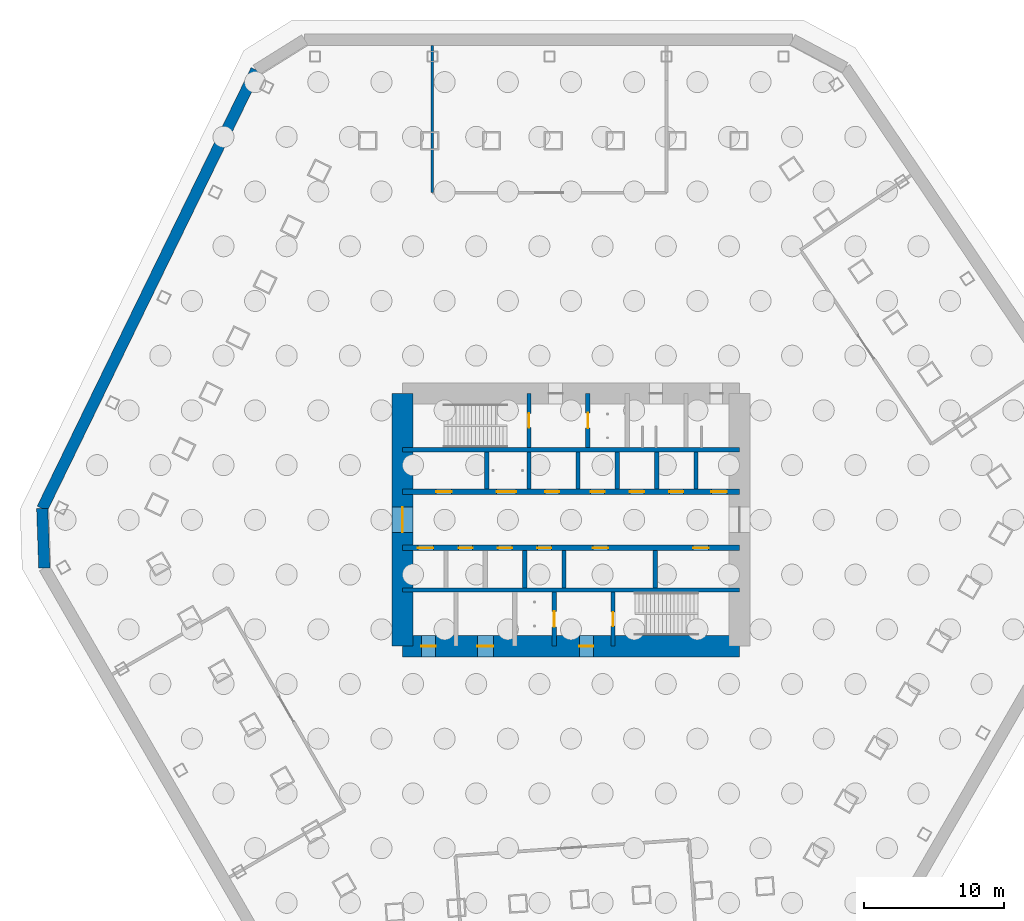
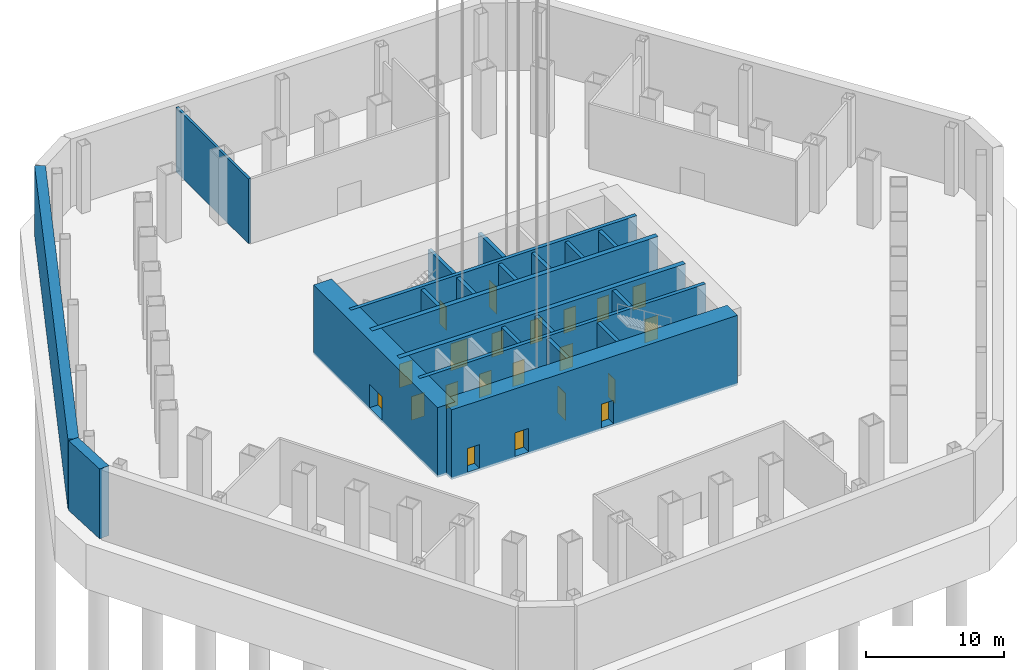
# One storey, part 3 of 12: 22 walls, 21 doors, 21 openings.
"""IFC4 building model written with IfcOpenShell, lengths in metres."""

from ifc_helpers import new_model, si_unit, direction, frame, frame_2d, origin, place, context, subcontext, project, spatial, rectangle, extrude, material, layer, layer_set, type_object, element, fill, save


model = new_model("IFC4")

# Units and contexts
model_context = context("Model", 3, precision=1e-05, world=origin(), true_north=direction((0.0, 1.0)))
body_context = subcontext(model_context, "Body", "Model", "MODEL_VIEW")
ifc_project = project(units=[si_unit("LENGTHUNIT", "METRE"), si_unit("AREAUNIT", "SQUARE_METRE"), si_unit("VOLUMEUNIT", "CUBIC_METRE"), si_unit("PLANEANGLEUNIT", "RADIAN"), si_unit("MASSUNIT", "GRAM", prefix="KILO")], contexts=[model_context])

# Site, building, storey
site_placement = place(None, origin())
site = spatial("IfcSite", under=ifc_project, at=site_placement, CompositionType="ELEMENT")
building_placement = place(site_placement, origin())
building = spatial("IfcBuilding", under=site, at=building_placement, Name="Qingtian Harvest Tower", CompositionType="ELEMENT")
storey_placement = place(building_placement, frame((0.0, 0.0, -12.0)))
storey = spatial("IfcBuildingStorey", under=building, at=storey_placement, Name="B2", CompositionType="ELEMENT", Elevation=-12.0)

# Walls
ifc_material_1 = material(Name="Concrete fc' 42 MPa", Category="concrete")
ifc_layer_1 = layer(ifc_material_1, 0.800048828125)
ifc_layer_set_1 = layer_set([ifc_layer_1], Name="Basement retaining wall RW1 800")
wall_type_1 = type_object("IfcWallType", Name="Basement retaining wall RW1 800", PredefinedType="SHEAR", material=ifc_layer_set_1)
wall_1_placement = place(storey_placement, frame((-37.51025390625, -3.43017578125, -0.199951171875), z_axis=(0.0, 0.0, 1.0), x_axis=(-0.034908677553, 0.999390506375, 0.0)))
element("IfcWall", 1, at=wall_1_placement, inside=storey, type_object=wall_type_1, Name="Retaining wall RW1 B2 10", PredefinedType="SHEAR", context=body_context, shape_type="SweptSolid", body=[
    extrude(rectangle(XDim=4.23828125, YDim=0.800048828125, at=frame_2d((2.119140625, 0.0))), origin(), (0.0, 0.0, 1.0), 6.199951171875),
])
wall_2_placement = place(storey_placement, frame((-37.658203125, 0.805419921875, -0.199951171875), z_axis=(0.0, 0.0, 1.0), x_axis=(0.438371731429, 0.898793761151, 0.0)))
element("IfcWall", 2, at=wall_2_placement, inside=storey, type_object=wall_type_1, Name="Retaining wall RW1 B2 11", PredefinedType="SHEAR", context=body_context, shape_type="SweptSolid", body=[
    extrude(rectangle(XDim=34.7548828125, YDim=0.800048828125, at=frame_2d((17.37744140625, 0.0))), origin(), (0.0, 0.0, 1.0), 6.199951171875),
])
ifc_material_2 = material(Name="Concrete fc' 70 MPa", Category="concrete")
ifc_layer_2 = layer(ifc_material_2, 0.300048828125)
ifc_layer_set_2 = layer_set([ifc_layer_2], Name="Core inner wall RC5 300")
wall_type_2 = type_object("IfcWallType", Name="Core inner wall RC5 300", PredefinedType="SHEAR", material=ifc_layer_set_2)
for number, where, z_axis, x_axis, name in (
    (3, (-12.0, 5.0, -0.199951171875), (0.0, 0.0, 1.0), (1.0, 0.0, 0.0), "Core wall IN5 B2"),
    (4, (-12.0, -5.0, -0.199951171875), (0.0, 0.0, 1.0), (1.0, 0.0, 0.0), "Core wall IS5 B2"),
):
    element("IfcWall", number, at=place(storey_placement, frame(where, z_axis=z_axis, x_axis=x_axis)), inside=storey, type_object=wall_type_2, Name=name, PredefinedType="SHEAR", context=body_context, shape_type="SweptSolid", body=[
        extrude(rectangle(XDim=24.0, YDim=0.300048828125, at=frame_2d((12.0, 0.0))), origin(), (0.0, 0.0, 1.0), 6.199951171875),
    ])

# Wall, openings, doors
ifc_material_3 = material(Name="Concrete fc' 70 MPa", Category="concrete")
ifc_layer_3 = layer(ifc_material_3, 0.39990234375)
ifc_layer_set_3 = layer_set([ifc_layer_3], Name="Core inner web RC6 400")
wall_type_3 = type_object("IfcWallType", Name="Core inner web RC6 400", PredefinedType="SHEAR", material=ifc_layer_set_3)
wall_3_placement = place(storey_placement, frame((-12.0, 2.0, -0.199951171875), z_axis=(0.0, 0.0, 1.0), x_axis=(1.0, 0.0, 0.0)))
wall_3 = element("IfcWall", 5, at=wall_3_placement, inside=storey, type_object=wall_type_3, Name="Core wall IN2 B2", PredefinedType="SHEAR", context=body_context, shape_type="SweptSolid", body=[
    extrude(rectangle(XDim=24.0, YDim=0.39990234375, at=frame_2d((12.0, 0.0))), origin(), (0.0, 0.0, 1.0), 6.199951171875),
])
opening_1_placement = place(wall_3_placement, frame((2.39990234375, 0.0, 0.199951171875)))
opening_1 = element("IfcOpeningElement", 6, at=opening_1_placement, cuts=wall_3, Name="Opening FD4", PredefinedType="OPENING", context=body_context, shape_type="SweptSolid", body=[
    extrude(rectangle(XDim=1.10009765625, YDim=2.10009765625, at=frame_2d((0.550048828125, 1.050048828125))), frame((0.0, 0.2099609375, 0.0), z_axis=(0.0, -1.0, 0.0), x_axis=(1.0, 0.0, 0.0)), (0.0, 0.0, 1.0), 0.419921875),
])
opening_2_placement = place(wall_3_placement, frame((22.0, 0.0, 0.199951171875)))
opening_2 = element("IfcOpeningElement", 7, at=opening_2_placement, cuts=wall_3, Name="Opening FD4", PredefinedType="OPENING", context=body_context, shape_type="SweptSolid", body=[
    extrude(rectangle(XDim=1.10009765625, YDim=2.10009765625, at=frame_2d((0.550048828125, 1.050048828125))), frame((0.0, 0.2099609375, 0.0), z_axis=(0.0, -1.0, 0.0), x_axis=(1.0, 0.0, 0.0)), (0.0, 0.0, 1.0), 0.419921875),
])
opening_3_placement = place(wall_3_placement, frame((10.14990234375, 0.0, 0.199951171875)))
opening_3 = element("IfcOpeningElement", 8, at=opening_3_placement, cuts=wall_3, Name="Opening FD1", PredefinedType="OPENING", context=body_context, shape_type="SweptSolid", body=[
    extrude(rectangle(XDim=1.0, YDim=2.10009765625, at=frame_2d((0.5, 1.050048828125))), frame((0.0, 0.2099609375, 0.0), z_axis=(0.0, -1.0, 0.0), x_axis=(1.0, 0.0, 0.0)), (0.0, 0.0, 1.0), 0.419921875),
])
opening_4_placement = place(wall_3_placement, frame((6.699951171875, 0.0, 0.199951171875)))
opening_4 = element("IfcOpeningElement", 9, at=opening_4_placement, cuts=wall_3, Name="Opening LD2", PredefinedType="OPENING", context=body_context, shape_type="SweptSolid", body=[
    extrude(rectangle(XDim=1.39990234375, YDim=2.39990234375, at=frame_2d((0.699951171875, 1.199951171875))), frame((0.0, 0.2099609375, 0.0), z_axis=(0.0, -1.0, 0.0), x_axis=(1.0, 0.0, 0.0)), (0.0, 0.0, 1.0), 0.419921875),
])
opening_5_placement = place(wall_3_placement, frame((13.39990234375, 0.0, 0.199951171875)))
opening_5 = element("IfcOpeningElement", 10, at=opening_5_placement, cuts=wall_3, Name="Opening FD1", PredefinedType="OPENING", context=body_context, shape_type="SweptSolid", body=[
    extrude(rectangle(XDim=1.0, YDim=2.10009765625, at=frame_2d((0.5, 1.050048828125))), frame((0.0, 0.2099609375, 0.0), z_axis=(0.0, -1.0, 0.0), x_axis=(1.0, 0.0, 0.0)), (0.0, 0.0, 1.0), 0.419921875),
])
opening_6_placement = place(wall_3_placement, frame((16.199951171875, 0.0, 0.199951171875)))
opening_6 = element("IfcOpeningElement", 11, at=opening_6_placement, cuts=wall_3, Name="Opening FD1", PredefinedType="OPENING", context=body_context, shape_type="SweptSolid", body=[
    extrude(rectangle(XDim=1.0, YDim=2.10009765625, at=frame_2d((0.5, 1.050048828125))), frame((0.0, 0.2099609375, 0.0), z_axis=(0.0, -1.0, 0.0), x_axis=(1.0, 0.0, 0.0)), (0.0, 0.0, 1.0), 0.419921875),
])
opening_7_placement = place(wall_3_placement, frame((19.0, 0.0, 0.199951171875)))
opening_7 = element("IfcOpeningElement", 12, at=opening_7_placement, cuts=wall_3, Name="Opening FD1", PredefinedType="OPENING", context=body_context, shape_type="SweptSolid", body=[
    extrude(rectangle(XDim=1.0, YDim=2.10009765625, at=frame_2d((0.5, 1.050048828125))), frame((0.0, 0.2099609375, 0.0), z_axis=(0.0, -1.0, 0.0), x_axis=(1.0, 0.0, 0.0)), (0.0, 0.0, 1.0), 0.419921875),
])
ifc_material_4 = material(Name="Steel-faced door leaf", Category="steel")
door_type_1 = type_object("IfcDoorType", Name="Fire door FD1 single 1 HR", OperationType="SINGLE_SWING_LEFT", PredefinedType="DOOR", material=ifc_material_4)
door_1_placement = place(opening_3_placement, origin())
door_1 = element("IfcDoor", 13, at=door_1_placement, inside=storey, type_object=door_type_1, Name="STA door B2", OperationType="SINGLE_SWING_RIGHT", OverallHeight=2.10009765625, OverallWidth=1.0, PredefinedType="DOOR", context=body_context, shape_type="SweptSolid", body=[
    extrude(rectangle(XDim=1.0, YDim=2.10009765625, at=frame_2d((0.5, 1.050048828125))), frame((0.0, 0.02490234375, 0.0), z_axis=(0.0, -1.0, 0.0), x_axis=(1.0, 0.0, 0.0)), (0.0, 0.0, 1.0), 0.050048828125),
])
fill(opening_3, door_1)
door_2_placement = place(opening_5_placement, origin())
door_2 = element("IfcDoor", 14, at=door_2_placement, inside=storey, type_object=door_type_1, Name="Spares store door B2", OperationType="SINGLE_SWING_LEFT", OverallHeight=2.10009765625, OverallWidth=1.0, PredefinedType="DOOR", context=body_context, shape_type="SweptSolid", body=[
    extrude(rectangle(XDim=1.0, YDim=2.10009765625, at=frame_2d((0.5, 1.050048828125))), frame((0.0, 0.02490234375, 0.0), z_axis=(0.0, -1.0, 0.0), x_axis=(1.0, 0.0, 0.0)), (0.0, 0.0, 1.0), 0.050048828125),
])
fill(opening_5, door_2)
door_3_placement = place(opening_6_placement, origin())
door_3 = element("IfcDoor", 15, at=door_3_placement, inside=storey, type_object=door_type_1, Name="Filter store door B2", OperationType="SINGLE_SWING_LEFT", OverallHeight=2.10009765625, OverallWidth=1.0, PredefinedType="DOOR", context=body_context, shape_type="SweptSolid", body=[
    extrude(rectangle(XDim=1.0, YDim=2.10009765625, at=frame_2d((0.5, 1.050048828125))), frame((0.0, 0.02490234375, 0.0), z_axis=(0.0, -1.0, 0.0), x_axis=(1.0, 0.0, 0.0)), (0.0, 0.0, 1.0), 0.050048828125),
])
fill(opening_6, door_3)
door_4_placement = place(opening_7_placement, origin())
door_4 = element("IfcDoor", 16, at=door_4_placement, inside=storey, type_object=door_type_1, Name="Tool store door B2", OperationType="SINGLE_SWING_LEFT", OverallHeight=2.10009765625, OverallWidth=1.0, PredefinedType="DOOR", context=body_context, shape_type="SweptSolid", body=[
    extrude(rectangle(XDim=1.0, YDim=2.10009765625, at=frame_2d((0.5, 1.050048828125))), frame((0.0, 0.02490234375, 0.0), z_axis=(0.0, -1.0, 0.0), x_axis=(1.0, 0.0, 0.0)), (0.0, 0.0, 1.0), 0.050048828125),
])
fill(opening_7, door_4)
ifc_material_5 = material(Name="Steel-faced door leaf", Category="steel")
door_type_2 = type_object("IfcDoorType", Name="Fire door FD4 single 2 HR", OperationType="SINGLE_SWING_LEFT", PredefinedType="DOOR", material=ifc_material_5)
door_5_placement = place(opening_1_placement, origin())
door_5 = element("IfcDoor", 17, at=door_5_placement, inside=storey, type_object=door_type_2, Name="RA door B2", OperationType="SINGLE_SWING_RIGHT", OverallHeight=2.10009765625, OverallWidth=1.10009765625, PredefinedType="DOOR", context=body_context, shape_type="SweptSolid", body=[
    extrude(rectangle(XDim=1.10009765625, YDim=2.10009765625, at=frame_2d((0.550048828125, 1.050048828125))), frame((0.0, 0.02490234375, 0.0), z_axis=(0.0, -1.0, 0.0), x_axis=(1.0, 0.0, 0.0)), (0.0, 0.0, 1.0), 0.050048828125),
])
fill(opening_1, door_5)
door_6_placement = place(opening_2_placement, origin())
door_6 = element("IfcDoor", 18, at=door_6_placement, inside=storey, type_object=door_type_2, Name="AHU door B2", OperationType="SINGLE_SWING_LEFT", OverallHeight=2.10009765625, OverallWidth=1.10009765625, PredefinedType="DOOR", context=body_context, shape_type="SweptSolid", body=[
    extrude(rectangle(XDim=1.10009765625, YDim=2.10009765625, at=frame_2d((0.550048828125, 1.050048828125))), frame((0.0, 0.02490234375, 0.0), z_axis=(0.0, -1.0, 0.0), x_axis=(1.0, 0.0, 0.0)), (0.0, 0.0, 1.0), 0.050048828125),
])
fill(opening_2, door_6)
ifc_material_6 = material(Name="Stainless steel lift landing door", Category="steel")
door_type_3 = type_object("IfcDoorType", Name="Goods lift landing door LD2 1 HR", OperationType="DOUBLE_DOOR_SLIDING", PredefinedType="DOOR", material=ifc_material_6)
door_7_placement = place(opening_4_placement, origin())
door_7 = element("IfcDoor", 19, at=door_7_placement, inside=storey, type_object=door_type_3, Name="GL1 landing door B2", OperationType="DOUBLE_DOOR_SLIDING", OverallHeight=2.39990234375, OverallWidth=1.39990234375, PredefinedType="DOOR", context=body_context, shape_type="SweptSolid", body=[
    extrude(rectangle(XDim=1.39990234375, YDim=2.39990234375, at=frame_2d((0.699951171875, 1.199951171875))), frame((0.0, 0.02490234375, 0.0), z_axis=(0.0, -1.0, 0.0), x_axis=(1.0, 0.0, 0.0)), (0.0, 0.0, 1.0), 0.050048828125),
])
fill(opening_4, door_7)

wall_4_placement = place(storey_placement, frame((-12.0, -2.0, -0.199951171875), z_axis=(0.0, 0.0, 1.0), x_axis=(1.0, 0.0, 0.0)))
wall_4 = element("IfcWall", 20, at=wall_4_placement, inside=storey, type_object=wall_type_3, Name="Core wall IS2 B2", PredefinedType="SHEAR", context=body_context, shape_type="SweptSolid", body=[
    extrude(rectangle(XDim=24.0, YDim=0.39990234375, at=frame_2d((12.0, 0.0))), origin(), (0.0, 0.0, 1.0), 6.199951171875),
])
opening_8_placement = place(wall_4_placement, frame((1.10009765625, 0.0, 0.199951171875)))
opening_8 = element("IfcOpeningElement", 21, at=opening_8_placement, cuts=wall_4, Name="Opening FD4", PredefinedType="OPENING", context=body_context, shape_type="SweptSolid", body=[
    extrude(rectangle(XDim=1.10009765625, YDim=2.10009765625, at=frame_2d((0.550048828125, 1.050048828125))), frame((0.0, 0.2099609375, 0.0), z_axis=(0.0, -1.0, 0.0), x_axis=(1.0, 0.0, 0.0)), (0.0, 0.0, 1.0), 0.419921875),
])
opening_9_placement = place(wall_4_placement, frame((13.550048828125, 0.0, 0.199951171875)))
opening_9 = element("IfcOpeningElement", 22, at=opening_9_placement, cuts=wall_4, Name="Opening FD4", PredefinedType="OPENING", context=body_context, shape_type="SweptSolid", body=[
    extrude(rectangle(XDim=1.10009765625, YDim=2.10009765625, at=frame_2d((0.550048828125, 1.050048828125))), frame((0.0, 0.2099609375, 0.0), z_axis=(0.0, -1.0, 0.0), x_axis=(1.0, 0.0, 0.0)), (0.0, 0.0, 1.0), 0.419921875),
])
opening_10_placement = place(wall_4_placement, frame((20.699951171875, 0.0, 0.199951171875)))
opening_10 = element("IfcOpeningElement", 23, at=opening_10_placement, cuts=wall_4, Name="Opening FD4", PredefinedType="OPENING", context=body_context, shape_type="SweptSolid", body=[
    extrude(rectangle(XDim=1.10009765625, YDim=2.10009765625, at=frame_2d((0.550048828125, 1.050048828125))), frame((0.0, 0.2099609375, 0.0), z_axis=(0.0, -1.0, 0.0), x_axis=(1.0, 0.0, 0.0)), (0.0, 0.0, 1.0), 0.419921875),
])
opening_11_placement = place(wall_4_placement, frame((4.0, 0.0, 0.199951171875)))
opening_11 = element("IfcOpeningElement", 24, at=opening_11_placement, cuts=wall_4, Name="Opening FD1", PredefinedType="OPENING", context=body_context, shape_type="SweptSolid", body=[
    extrude(rectangle(XDim=1.0, YDim=2.10009765625, at=frame_2d((0.5, 1.050048828125))), frame((0.0, 0.2099609375, 0.0), z_axis=(0.0, -1.0, 0.0), x_axis=(1.0, 0.0, 0.0)), (0.0, 0.0, 1.0), 0.419921875),
])
opening_12_placement = place(wall_4_placement, frame((6.800048828125, 0.0, 0.199951171875)))
opening_12 = element("IfcOpeningElement", 25, at=opening_12_placement, cuts=wall_4, Name="Opening FD1", PredefinedType="OPENING", context=body_context, shape_type="SweptSolid", body=[
    extrude(rectangle(XDim=1.0, YDim=2.10009765625, at=frame_2d((0.5, 1.050048828125))), frame((0.0, 0.2099609375, 0.0), z_axis=(0.0, -1.0, 0.0), x_axis=(1.0, 0.0, 0.0)), (0.0, 0.0, 1.0), 0.419921875),
])
opening_13_placement = place(wall_4_placement, frame((9.60009765625, 0.0, 0.199951171875)))
opening_13 = element("IfcOpeningElement", 26, at=opening_13_placement, cuts=wall_4, Name="Opening FD1", PredefinedType="OPENING", context=body_context, shape_type="SweptSolid", body=[
    extrude(rectangle(XDim=1.0, YDim=2.10009765625, at=frame_2d((0.5, 1.050048828125))), frame((0.0, 0.2099609375, 0.0), z_axis=(0.0, -1.0, 0.0), x_axis=(1.0, 0.0, 0.0)), (0.0, 0.0, 1.0), 0.419921875),
])
door_8_placement = place(opening_11_placement, origin())
door_8 = element("IfcDoor", 27, at=door_8_placement, inside=storey, type_object=door_type_1, Name="Archive store door B2", OperationType="SINGLE_SWING_LEFT", OverallHeight=2.10009765625, OverallWidth=1.0, PredefinedType="DOOR", context=body_context, shape_type="SweptSolid", body=[
    extrude(rectangle(XDim=1.0, YDim=2.10009765625, at=frame_2d((0.5, 1.050048828125))), frame((0.0, 0.02490234375, 0.0), z_axis=(0.0, -1.0, 0.0), x_axis=(1.0, 0.0, 0.0)), (0.0, 0.0, 1.0), 0.050048828125),
])
fill(opening_11, door_8)
door_9_placement = place(opening_12_placement, origin())
door_9 = element("IfcDoor", 28, at=door_9_placement, inside=storey, type_object=door_type_1, Name="Staff WC door B2", OperationType="SINGLE_SWING_LEFT", OverallHeight=2.10009765625, OverallWidth=1.0, PredefinedType="DOOR", context=body_context, shape_type="SweptSolid", body=[
    extrude(rectangle(XDim=1.0, YDim=2.10009765625, at=frame_2d((0.5, 1.050048828125))), frame((0.0, 0.02490234375, 0.0), z_axis=(0.0, -1.0, 0.0), x_axis=(1.0, 0.0, 0.0)), (0.0, 0.0, 1.0), 0.050048828125),
])
fill(opening_12, door_9)
door_10_placement = place(opening_13_placement, origin())
door_10 = element("IfcDoor", 29, at=door_10_placement, inside=storey, type_object=door_type_1, Name="Linen store door B2", OperationType="SINGLE_SWING_LEFT", OverallHeight=2.10009765625, OverallWidth=1.0, PredefinedType="DOOR", context=body_context, shape_type="SweptSolid", body=[
    extrude(rectangle(XDim=1.0, YDim=2.10009765625, at=frame_2d((0.5, 1.050048828125))), frame((0.0, 0.02490234375, 0.0), z_axis=(0.0, -1.0, 0.0), x_axis=(1.0, 0.0, 0.0)), (0.0, 0.0, 1.0), 0.050048828125),
])
fill(opening_13, door_10)
door_11_placement = place(opening_8_placement, origin())
door_11 = element("IfcDoor", 30, at=door_11_placement, inside=storey, type_object=door_type_2, Name="RB door B2", OperationType="SINGLE_SWING_RIGHT", OverallHeight=2.10009765625, OverallWidth=1.10009765625, PredefinedType="DOOR", context=body_context, shape_type="SweptSolid", body=[
    extrude(rectangle(XDim=1.10009765625, YDim=2.10009765625, at=frame_2d((0.550048828125, 1.050048828125))), frame((0.0, 0.02490234375, 0.0), z_axis=(0.0, -1.0, 0.0), x_axis=(1.0, 0.0, 0.0)), (0.0, 0.0, 1.0), 0.050048828125),
])
fill(opening_8, door_11)
door_12_placement = place(opening_9_placement, origin())
door_12 = element("IfcDoor", 31, at=door_12_placement, inside=storey, type_object=door_type_2, Name="ELEC door B2", OperationType="SINGLE_SWING_RIGHT", OverallHeight=2.10009765625, OverallWidth=1.10009765625, PredefinedType="DOOR", context=body_context, shape_type="SweptSolid", body=[
    extrude(rectangle(XDim=1.10009765625, YDim=2.10009765625, at=frame_2d((0.550048828125, 1.050048828125))), frame((0.0, 0.02490234375, 0.0), z_axis=(0.0, -1.0, 0.0), x_axis=(1.0, 0.0, 0.0)), (0.0, 0.0, 1.0), 0.050048828125),
])
fill(opening_9, door_12)
door_13_placement = place(opening_10_placement, origin())
door_13 = element("IfcDoor", 32, at=door_13_placement, inside=storey, type_object=door_type_2, Name="DUCT door B2", OperationType="SINGLE_SWING_LEFT", OverallHeight=2.10009765625, OverallWidth=1.10009765625, PredefinedType="DOOR", context=body_context, shape_type="SweptSolid", body=[
    extrude(rectangle(XDim=1.10009765625, YDim=2.10009765625, at=frame_2d((0.550048828125, 1.050048828125))), frame((0.0, 0.02490234375, 0.0), z_axis=(0.0, -1.0, 0.0), x_axis=(1.0, 0.0, 0.0)), (0.0, 0.0, 1.0), 0.050048828125),
])
fill(opening_10, door_13)

# Wall, opening, door
ifc_material_7 = material(Name="Precast concrete shaft panel", Category="concrete")
ifc_layer_4 = layer(ifc_material_7, 0.300048828125)
ifc_layer_set_4 = layer_set([ifc_layer_4], Name="Core shaft partition SW1 300")
wall_type_4 = type_object("IfcWallType", Name="Core shaft partition SW1 300", PredefinedType="PARTITIONING", material=ifc_layer_set_4)
wall_5_placement = place(storey_placement, frame((-3.0, 5.14990234375, 0.0), z_axis=(0.0, 0.0, 1.0), x_axis=(0.0, 1.0, 0.0)))
wall_5 = element("IfcWall", 33, at=wall_5_placement, inside=storey, type_object=wall_type_4, Name="Core shaft partition XN1 B2", PredefinedType="PARTITIONING", context=body_context, shape_type="SweptSolid", body=[
    extrude(rectangle(XDim=3.85009765625, YDim=0.300048828125, at=frame_2d((1.925048828125, 0.0))), origin(), (0.0, 0.0, 1.0), 5.780029296875),
])
opening_14_placement = place(wall_5_placement, frame((1.425048828125, 0.0, 0.0)))
opening_14 = element("IfcOpeningElement", 34, at=opening_14_placement, cuts=wall_5, Name="Opening FD1", PredefinedType="OPENING", context=body_context, shape_type="SweptSolid", body=[
    extrude(rectangle(XDim=1.0, YDim=2.10009765625, at=frame_2d((0.5, 1.050048828125))), frame((0.0, 0.159912109375, 0.0), z_axis=(0.0, -1.0, 0.0), x_axis=(1.0, 0.0, 0.0)), (0.0, 0.0, 1.0), 0.320068359375),
])
door_14_placement = place(opening_14_placement, origin())
door_14 = element("IfcDoor", 35, at=door_14_placement, inside=storey, type_object=door_type_1, Name="S1 door B2", OperationType="SINGLE_SWING_LEFT", OverallHeight=2.10009765625, OverallWidth=1.0, PredefinedType="DOOR", context=body_context, shape_type="SweptSolid", body=[
    extrude(rectangle(XDim=1.0, YDim=2.10009765625, at=frame_2d((0.5, 1.050048828125))), frame((0.0, 0.02490234375, 0.0), z_axis=(0.0, -1.0, 0.0), x_axis=(1.0, 0.0, 0.0)), (0.0, 0.0, 1.0), 0.050048828125),
])
fill(opening_14, door_14)

wall_6_placement = place(storey_placement, frame((1.199951171875, 5.14990234375, 0.0), z_axis=(0.0, 0.0, 1.0), x_axis=(0.0, 1.0, 0.0)))
wall_6 = element("IfcWall", 36, at=wall_6_placement, inside=storey, type_object=wall_type_4, Name="Core shaft partition XN2 B2", PredefinedType="PARTITIONING", context=body_context, shape_type="SweptSolid", body=[
    extrude(rectangle(XDim=3.85009765625, YDim=0.300048828125, at=frame_2d((1.925048828125, 0.0))), origin(), (0.0, 0.0, 1.0), 5.780029296875),
])
opening_15_placement = place(wall_6_placement, frame((1.375, 0.0, 0.0)))
opening_15 = element("IfcOpeningElement", 37, at=opening_15_placement, cuts=wall_6, Name="Opening LD1", PredefinedType="OPENING", context=body_context, shape_type="SweptSolid", body=[
    extrude(rectangle(XDim=1.10009765625, YDim=2.39990234375, at=frame_2d((0.550048828125, 1.199951171875))), frame((0.0, 0.159912109375, 0.0), z_axis=(0.0, -1.0, 0.0), x_axis=(1.0, 0.0, 0.0)), (0.0, 0.0, 1.0), 0.320068359375),
])
ifc_material_8 = material(Name="Stainless steel lift landing door", Category="steel")
door_type_4 = type_object("IfcDoorType", Name="Lift landing door LD1 1 HR", OperationType="DOUBLE_DOOR_SLIDING", PredefinedType="DOOR", material=ifc_material_8)
door_15_placement = place(opening_15_placement, origin())
door_15 = element("IfcDoor", 38, at=door_15_placement, inside=storey, type_object=door_type_4, Name="FL1 landing door B2", OperationType="DOUBLE_DOOR_SLIDING", OverallHeight=2.39990234375, OverallWidth=1.10009765625, PredefinedType="DOOR", context=body_context, shape_type="SweptSolid", body=[
    extrude(rectangle(XDim=1.10009765625, YDim=2.39990234375, at=frame_2d((0.550048828125, 1.199951171875))), frame((0.0, 0.02490234375, 0.0), z_axis=(0.0, -1.0, 0.0), x_axis=(1.0, 0.0, 0.0)), (0.0, 0.0, 1.0), 0.050048828125),
])
fill(opening_15, door_15)

# Walls
for number, where, z_axis, x_axis, name in (
    (39, (-6.0, 2.199951171875, 0.0), (0.0, 0.0, 1.0), (0.0, 1.0, 0.0), "Core shaft partition XA1 B2"),
    (40, (-3.0, 2.199951171875, 0.0), (0.0, 0.0, 1.0), (0.0, 1.0, 0.0), "Core shaft partition XA2 B2"),
    (41, (0.5, 2.199951171875, 0.0), (0.0, 0.0, 1.0), (0.0, 1.0, 0.0), "Core shaft partition XA3 B2"),
    (42, (3.300048828125, 2.199951171875, 0.0), (0.0, 0.0, 1.0), (0.0, 1.0, 0.0), "Core shaft partition XA4 B2"),
    (43, (6.10009765625, 2.199951171875, 0.0), (0.0, 0.0, 1.0), (0.0, 1.0, 0.0), "Core shaft partition XA5 B2"),
    (44, (8.89990234375, 2.199951171875, 0.0), (0.0, 0.0, 1.0), (0.0, 1.0, 0.0), "Core shaft partition XA6 B2"),
    (45, (-3.300048828125, -4.85009765625, 0.0), (0.0, 0.0, 1.0), (0.0, 1.0, 0.0), "Core shaft partition XB3 B2"),
    (46, (-0.5, -4.85009765625, 0.0), (0.0, 0.0, 1.0), (0.0, 1.0, 0.0), "Core shaft partition XB4 B2"),
    (47, (6.0, -4.85009765625, 0.0), (0.0, 0.0, 1.0), (0.0, 1.0, 0.0), "Core shaft partition XB5 B2"),
):
    element("IfcWall", number, at=place(storey_placement, frame(where, z_axis=z_axis, x_axis=x_axis)), inside=storey, type_object=wall_type_4, Name=name, PredefinedType="PARTITIONING", context=body_context, shape_type="SweptSolid", body=[
        extrude(rectangle(XDim=2.650146484375, YDim=0.300048828125, at=frame_2d((1.3251953125, 0.0))), origin(), (0.0, 0.0, 1.0), 5.780029296875),
    ])

# Wall, opening, door
wall_7_placement = place(storey_placement, frame((-1.199951171875, -9.0, 0.0), z_axis=(0.0, 0.0, 1.0), x_axis=(0.0, 1.0, 0.0)))
wall_7 = element("IfcWall", 48, at=wall_7_placement, inside=storey, type_object=wall_type_4, Name="Core shaft partition XS3 B2", PredefinedType="PARTITIONING", context=body_context, shape_type="SweptSolid", body=[
    extrude(rectangle(XDim=3.85009765625, YDim=0.300048828125, at=frame_2d((1.925048828125, 0.0))), origin(), (0.0, 0.0, 1.0), 5.780029296875),
])
opening_16_placement = place(wall_7_placement, frame((1.375, 0.0, 0.0)))
opening_16 = element("IfcOpeningElement", 49, at=opening_16_placement, cuts=wall_7, Name="Opening LD1", PredefinedType="OPENING", context=body_context, shape_type="SweptSolid", body=[
    extrude(rectangle(XDim=1.10009765625, YDim=2.39990234375, at=frame_2d((0.550048828125, 1.199951171875))), frame((0.0, 0.159912109375, 0.0), z_axis=(0.0, -1.0, 0.0), x_axis=(1.0, 0.0, 0.0)), (0.0, 0.0, 1.0), 0.320068359375),
])
door_16_placement = place(opening_16_placement, origin())
door_16 = element("IfcDoor", 50, at=door_16_placement, inside=storey, type_object=door_type_4, Name="FL2 landing door B2", OperationType="DOUBLE_DOOR_SLIDING", OverallHeight=2.39990234375, OverallWidth=1.10009765625, PredefinedType="DOOR", context=body_context, shape_type="SweptSolid", body=[
    extrude(rectangle(XDim=1.10009765625, YDim=2.39990234375, at=frame_2d((0.550048828125, 1.199951171875))), frame((0.0, 0.02490234375, 0.0), z_axis=(0.0, -1.0, 0.0), x_axis=(1.0, 0.0, 0.0)), (0.0, 0.0, 1.0), 0.050048828125),
])
fill(opening_16, door_16)

wall_8_placement = place(storey_placement, frame((3.0, -9.0, 0.0), z_axis=(0.0, 0.0, 1.0), x_axis=(0.0, 1.0, 0.0)))
wall_8 = element("IfcWall", 51, at=wall_8_placement, inside=storey, type_object=wall_type_4, Name="Core shaft partition XS4 B2", PredefinedType="PARTITIONING", context=body_context, shape_type="SweptSolid", body=[
    extrude(rectangle(XDim=3.85009765625, YDim=0.300048828125, at=frame_2d((1.925048828125, 0.0))), origin(), (0.0, 0.0, 1.0), 5.780029296875),
])
opening_17_placement = place(wall_8_placement, frame((1.425048828125, 0.0, 0.0)))
opening_17 = element("IfcOpeningElement", 52, at=opening_17_placement, cuts=wall_8, Name="Opening FD1", PredefinedType="OPENING", context=body_context, shape_type="SweptSolid", body=[
    extrude(rectangle(XDim=1.0, YDim=2.10009765625, at=frame_2d((0.5, 1.050048828125))), frame((0.0, 0.159912109375, 0.0), z_axis=(0.0, -1.0, 0.0), x_axis=(1.0, 0.0, 0.0)), (0.0, 0.0, 1.0), 0.320068359375),
])
door_17_placement = place(opening_17_placement, origin())
door_17 = element("IfcDoor", 53, at=door_17_placement, inside=storey, type_object=door_type_1, Name="S2 door B2", OperationType="SINGLE_SWING_RIGHT", OverallHeight=2.10009765625, OverallWidth=1.0, PredefinedType="DOOR", context=body_context, shape_type="SweptSolid", body=[
    extrude(rectangle(XDim=1.0, YDim=2.10009765625, at=frame_2d((0.5, 1.050048828125))), frame((0.0, 0.02490234375, 0.0), z_axis=(0.0, -1.0, 0.0), x_axis=(1.0, 0.0, 0.0)), (0.0, 0.0, 1.0), 0.050048828125),
])
fill(opening_17, door_17)

# Wall, openings, doors
ifc_material_9 = material(Name="Concrete fc' 70 MPa", Category="concrete")
ifc_layer_5 = layer(ifc_material_9, 1.5)
ifc_layer_set_5 = layer_set([ifc_layer_5], Name="Core wall RC1 1500")
wall_type_5 = type_object("IfcWallType", Name="Core wall RC1 1500", PredefinedType="SHEAR", material=ifc_layer_set_5)
wall_9_placement = place(storey_placement, frame((-12.0, -9.0, -0.199951171875), z_axis=(0.0, 0.0, 1.0), x_axis=(1.0, 0.0, 0.0)))
wall_9 = element("IfcWall", 54, at=wall_9_placement, inside=storey, type_object=wall_type_5, Name="Core wall CS B2", PredefinedType="SHEAR", context=body_context, shape_type="SweptSolid", body=[
    extrude(rectangle(XDim=24.0, YDim=1.5, at=frame_2d((12.0, 0.0))), origin(), (0.0, 0.0, 1.0), 6.199951171875),
])
opening_18_placement = place(wall_9_placement, frame((1.35009765625, 0.0, 0.199951171875)))
opening_18 = element("IfcOpeningElement", 55, at=opening_18_placement, cuts=wall_9, Name="Opening FD1", PredefinedType="OPENING", context=body_context, shape_type="SweptSolid", body=[
    extrude(rectangle(XDim=1.0, YDim=2.10009765625, at=frame_2d((0.5, 1.050048828125))), frame((0.0, 0.760009765625, 0.0), z_axis=(0.0, -1.0, 0.0), x_axis=(1.0, 0.0, 0.0)), (0.0, 0.0, 1.0), 1.52001953125),
])
opening_19_placement = place(wall_9_placement, frame((5.324951171875, 0.0, 0.199951171875)))
opening_19 = element("IfcOpeningElement", 56, at=opening_19_placement, cuts=wall_9, Name="Opening AD1", PredefinedType="OPENING", context=body_context, shape_type="SweptSolid", body=[
    extrude(rectangle(XDim=1.14990234375, YDim=2.10009765625, at=frame_2d((0.574951171875, 1.050048828125))), frame((0.0, 0.760009765625, 0.0), z_axis=(0.0, -1.0, 0.0), x_axis=(1.0, 0.0, 0.0)), (0.0, 0.0, 1.0), 1.52001953125),
])
opening_20_placement = place(wall_9_placement, frame((12.60009765625, 0.0, 0.199951171875)))
opening_20 = element("IfcOpeningElement", 57, at=opening_20_placement, cuts=wall_9, Name="Opening FD1", PredefinedType="OPENING", context=body_context, shape_type="SweptSolid", body=[
    extrude(rectangle(XDim=1.0, YDim=2.10009765625, at=frame_2d((0.5, 1.050048828125))), frame((0.0, 0.760009765625, 0.0), z_axis=(0.0, -1.0, 0.0), x_axis=(1.0, 0.0, 0.0)), (0.0, 0.0, 1.0), 1.52001953125),
])
ifc_material_10 = material(Name="Laminated timber door leaf", Category="wood")
door_type_5 = type_object("IfcDoorType", Name="Accessible WC door AD1 single", OperationType="SINGLE_SWING_LEFT", PredefinedType="DOOR", material=ifc_material_10)
door_18_placement = place(opening_19_placement, origin())
door_18 = element("IfcDoor", 58, at=door_18_placement, inside=storey, type_object=door_type_5, Name="AWC door B2", OperationType="SINGLE_SWING_LEFT", OverallHeight=2.10009765625, OverallWidth=1.14990234375, PredefinedType="DOOR", context=body_context, shape_type="SweptSolid", body=[
    extrude(rectangle(XDim=1.14990234375, YDim=2.10009765625, at=frame_2d((0.574951171875, 1.050048828125))), frame((0.0, 0.02490234375, 0.0), z_axis=(0.0, -1.0, 0.0), x_axis=(1.0, 0.0, 0.0)), (0.0, 0.0, 1.0), 0.050048828125),
])
fill(opening_19, door_18)
door_19_placement = place(opening_18_placement, origin())
door_19 = element("IfcDoor", 59, at=door_19_placement, inside=storey, type_object=door_type_1, Name="CLN door B2", OperationType="SINGLE_SWING_RIGHT", OverallHeight=2.10009765625, OverallWidth=1.0, PredefinedType="DOOR", context=body_context, shape_type="SweptSolid", body=[
    extrude(rectangle(XDim=1.0, YDim=2.10009765625, at=frame_2d((0.5, 1.050048828125))), frame((0.0, 0.02490234375, 0.0), z_axis=(0.0, -1.0, 0.0), x_axis=(1.0, 0.0, 0.0)), (0.0, 0.0, 1.0), 0.050048828125),
])
fill(opening_18, door_19)
door_20_placement = place(opening_20_placement, origin())
door_20 = element("IfcDoor", 60, at=door_20_placement, inside=storey, type_object=door_type_1, Name="V2 door B2", OperationType="SINGLE_SWING_LEFT", OverallHeight=2.10009765625, OverallWidth=1.0, PredefinedType="DOOR", context=body_context, shape_type="SweptSolid", body=[
    extrude(rectangle(XDim=1.0, YDim=2.10009765625, at=frame_2d((0.5, 1.050048828125))), frame((0.0, 0.02490234375, 0.0), z_axis=(0.0, -1.0, 0.0), x_axis=(1.0, 0.0, 0.0)), (0.0, 0.0, 1.0), 0.050048828125),
])
fill(opening_20, door_20)

# Wall, opening, door
wall_10_placement = place(storey_placement, frame((-12.0, -9.0, -0.199951171875), z_axis=(0.0, 0.0, 1.0), x_axis=(0.0, 1.0, 0.0)))
wall_10 = element("IfcWall", 61, at=wall_10_placement, inside=storey, type_object=wall_type_5, Name="Core wall CW B2", PredefinedType="SHEAR", context=body_context, shape_type="SweptSolid", body=[
    extrude(rectangle(XDim=18.0, YDim=1.5, at=frame_2d((9.0, 0.0))), origin(), (0.0, 0.0, 1.0), 6.199951171875),
])
opening_21_placement = place(wall_10_placement, frame((8.10009765625, 0.0, 0.199951171875)))
opening_21 = element("IfcOpeningElement", 62, at=opening_21_placement, cuts=wall_10, Name="Opening FD2", PredefinedType="OPENING", context=body_context, shape_type="SweptSolid", body=[
    extrude(rectangle(XDim=1.800048828125, YDim=2.10009765625, at=frame_2d((0.89990234375, 1.050048828125))), frame((0.0, 0.760009765625, 0.0), z_axis=(0.0, -1.0, 0.0), x_axis=(1.0, 0.0, 0.0)), (0.0, 0.0, 1.0), 1.52001953125),
])
ifc_material_11 = material(Name="Steel-faced door leaf", Category="steel")
door_type_6 = type_object("IfcDoorType", Name="Fire door FD2 double 1 HR", OperationType="DOUBLE_DOOR_DOUBLE_SWING", PredefinedType="DOOR", material=ifc_material_11)
door_21_placement = place(opening_21_placement, origin())
door_21 = element("IfcDoor", 63, at=door_21_placement, inside=storey, type_object=door_type_6, Name="LOBBY-W door B2", OperationType="DOUBLE_DOOR_DOUBLE_SWING", OverallHeight=2.10009765625, OverallWidth=1.800048828125, PredefinedType="DOOR", context=body_context, shape_type="SweptSolid", body=[
    extrude(rectangle(XDim=1.800048828125, YDim=2.10009765625, at=frame_2d((0.89990234375, 1.050048828125))), frame((0.0, 0.02490234375, 0.0), z_axis=(0.0, -1.0, 0.0), x_axis=(1.0, 0.0, 0.0)), (0.0, 0.0, 1.0), 0.050048828125),
])
fill(opening_21, door_21)

# Wall
ifc_material_12 = material(Name="Blockwork fire wall", Category="masonry")
ifc_layer_6 = layer(ifc_material_12, 0.199951171875)
ifc_layer_set_6 = layer_set([ifc_layer_6], Name="Fire partition FW1 200")
wall_type_6 = type_object("IfcWallType", Name="Fire partition FW1 200", PredefinedType="PARTITIONING", material=ifc_layer_set_6)
wall_11_placement = place(storey_placement, frame((-9.87890625, 33.800048828125, 0.0), z_axis=(0.0, 0.0, 1.0), x_axis=(0.0, -1.0, 0.0)))
element("IfcWall", 64, at=wall_11_placement, inside=storey, type_object=wall_type_6, Name="Water tank room wall B2", PredefinedType="PARTITIONING", context=body_context, shape_type="SweptSolid", body=[
    extrude(rectangle(XDim=10.5, YDim=0.199951171875, at=frame_2d((5.25, 0.0))), origin(), (0.0, 0.0, 1.0), 5.75),
])

save(model, "model.ifc")
